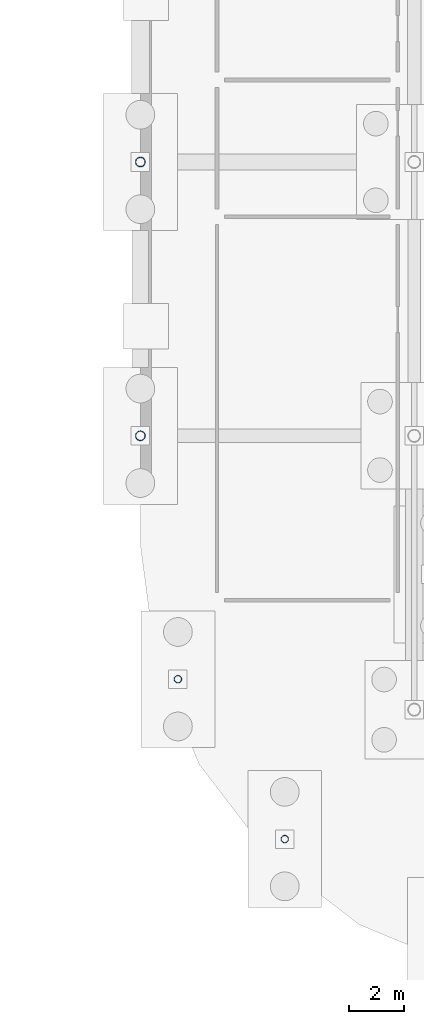
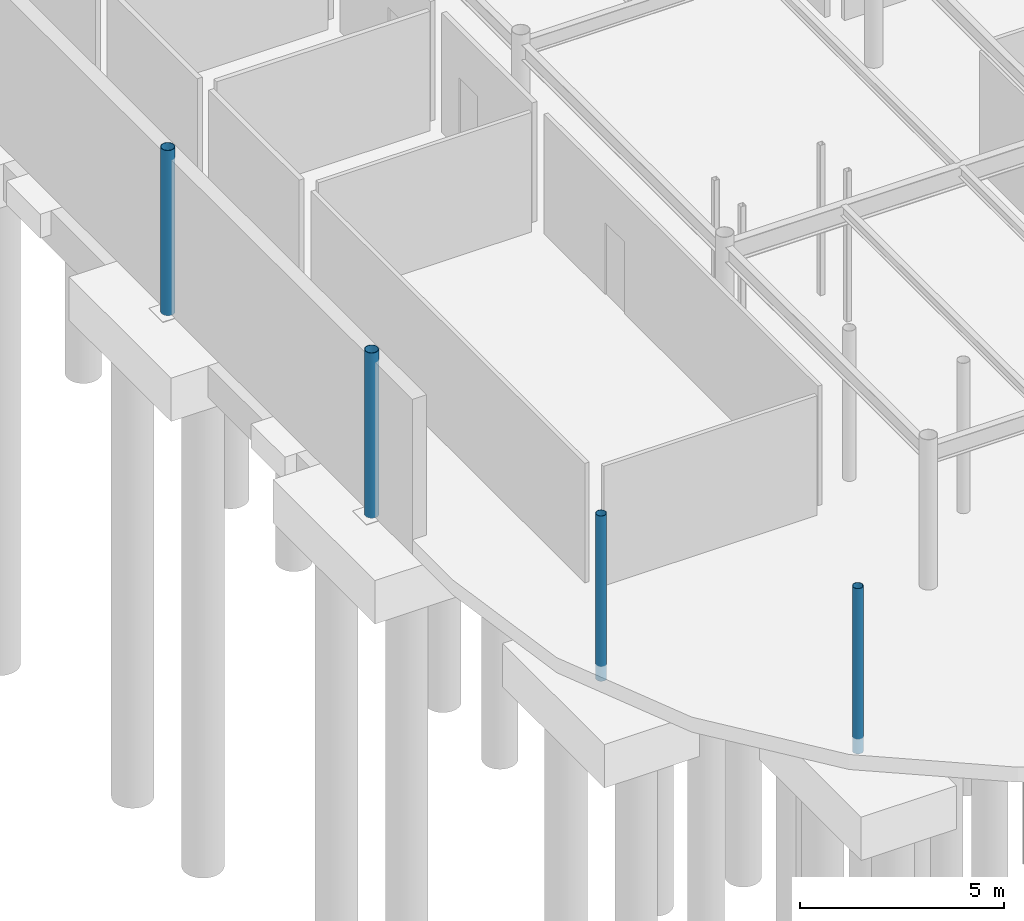
# One storey, part 12 of 75: 4 columns.
"""IFC4 building model written with IfcOpenShell, lengths in metres."""

from ifc_helpers import new_model, si_unit, derived_unit, direction, frame, origin, origin_2d_with_axis, place, context, subcontext, project, spatial, hollow_circle, extrude, material, material_profile, profile_set, type_object, element, save


model = new_model("IFC4")

# Units and contexts
model_context = context("Model", 3, precision=1e-05, world=origin(), true_north=direction((0.0, 1.0)))
body_context = subcontext(model_context, "Body", "Model", "MODEL_VIEW")
ifc_project = project(units=[si_unit("LENGTHUNIT", "METRE"), si_unit("AREAUNIT", "SQUARE_METRE"), si_unit("VOLUMEUNIT", "CUBIC_METRE"), si_unit("PLANEANGLEUNIT", "RADIAN"), si_unit("MASSUNIT", "GRAM", prefix="KILO"), derived_unit("THERMALTRANSMITTANCEUNIT", [(si_unit("POWERUNIT", "WATT"), 1), (si_unit("LENGTHUNIT", "METRE"), -2), (si_unit("THERMODYNAMICTEMPERATUREUNIT", "KELVIN"), -1)])], contexts=[model_context])

# Site, building, storey
site_placement = place(None, origin())
site = spatial("IfcSite", under=ifc_project, at=site_placement, CompositionType="ELEMENT")
building_placement = place(site_placement, origin())
building = spatial("IfcBuilding", under=site, at=building_placement, Name="Cinnabar Yard Market Hall", CompositionType="ELEMENT")
storey_placement = place(building_placement, frame((0.0, 0.0, -4.5)))
storey = spatial("IfcBuildingStorey", under=building, at=storey_placement, Name="B1", CompositionType="ELEMENT", Elevation=-4.5)

# Columns
ifc_material = material(Name="Spotted-gum glulam-clad steel Grade 350 (350 MPa)", Category="steel")
ifc_material_profile_1 = material_profile(ifc_material, hollow_circle(Radius=0.177734375, WallThickness=0.0126953125, at=origin_2d_with_axis()), Name="355.6x12.7CHS")
ifc_profile_set_1 = profile_set([ifc_material_profile_1], Name="Spotted-gum glulam-clad steel Grade 350 (350 MPa)")
column_type_1 = type_object("IfcColumnType", Name="COL-C02", PredefinedType="COLUMN", material=ifc_profile_set_1)
for number, where, z_axis, x_axis, name in (
    (1, (66.0, 34.0, -0.449951171875), (0.0, 0.0, 1.0), (1.0, 0.0, 0.0), "Tree Column V1W-01 B1"),
    (2, (66.0, 44.0, -0.449951171875), (0.0, 0.0, 1.0), (1.0, 0.0, 0.0), "Tree Column V1W-02 B1"),
):
    element("IfcColumn", number, at=place(storey_placement, frame(where, z_axis=z_axis, x_axis=x_axis)), inside=storey, type_object=column_type_1, Name=name, PredefinedType="COLUMN", context=body_context, shape_type="SweptSolid", body=[
        extrude(hollow_circle(Radius=0.177734375, WallThickness=0.0126953125, at=origin_2d_with_axis()), origin(), (0.0, 0.0, 1.0), 4.949951171875),
    ])
ifc_material_profile_2 = material_profile(ifc_material, hollow_circle(Radius=0.136474609375, WallThickness=0.00927734375, at=origin_2d_with_axis()), Name="273.1x9.3CHS")
ifc_profile_set_2 = profile_set([ifc_material_profile_2], Name="Spotted-gum glulam-clad steel Grade 350 (350 MPa)")
column_type_2 = type_object("IfcColumnType", Name="COL-C04", PredefinedType="COLUMN", material=ifc_profile_set_2)
for number, where, z_axis, x_axis, name in (
    (3, (67.3701171875, 25.11181640625, -0.449951171875), (0.0, 0.0, 1.0), (1.0, 0.0, 0.0), "Tree Column V1C-SW2 B1"),
    (4, (71.272216796875, 19.272216796875, -0.449951171875), (0.0, 0.0, 1.0), (1.0, 0.0, 0.0), "Tree Column V1C-SW4 B1"),
):
    element("IfcColumn", number, at=place(storey_placement, frame(where, z_axis=z_axis, x_axis=x_axis)), inside=storey, type_object=column_type_2, Name=name, PredefinedType="COLUMN", context=body_context, shape_type="SweptSolid", body=[
        extrude(hollow_circle(Radius=0.136474609375, WallThickness=0.00927734375, at=origin_2d_with_axis()), origin(), (0.0, 0.0, 1.0), 4.949951171875),
    ])

save(model, "model.ifc")
